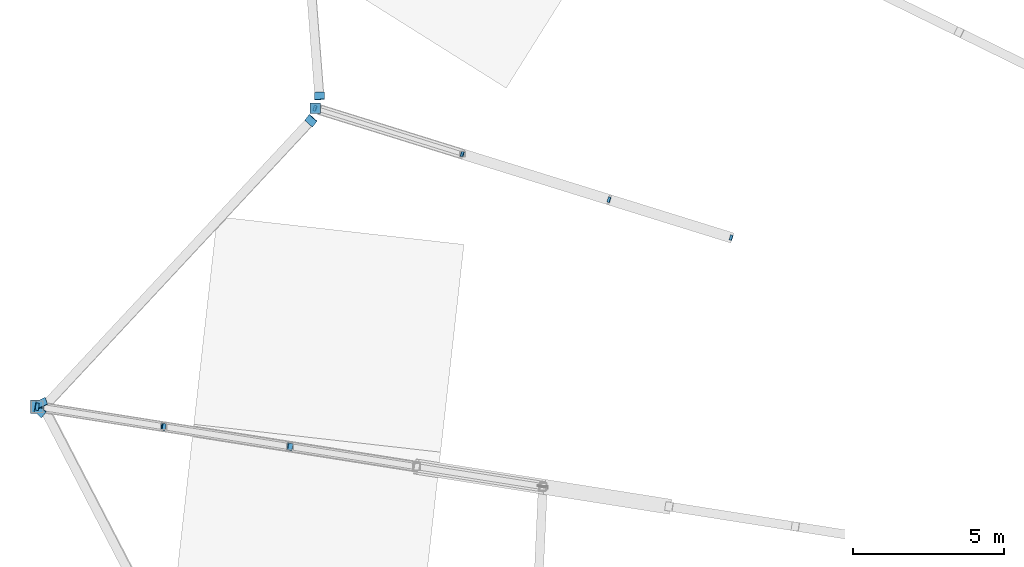
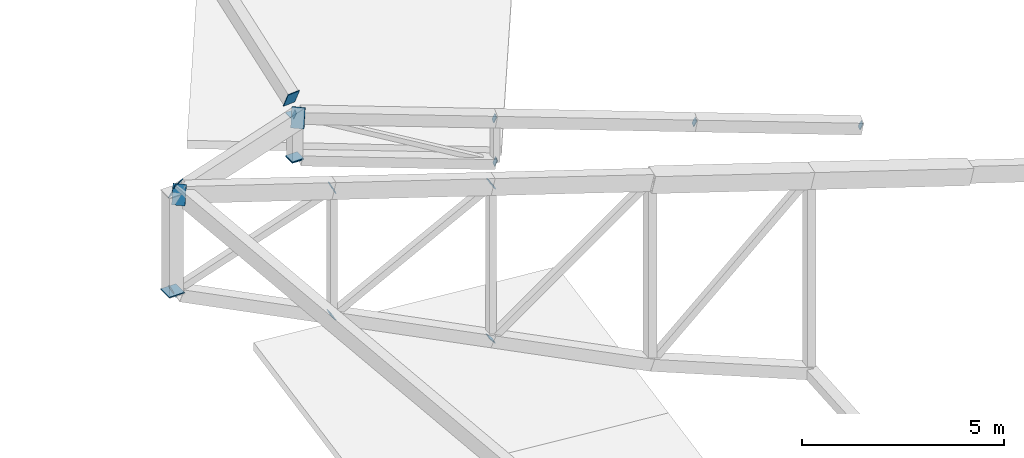
# One storey, part 160 of 188: 18 discrete accessories.
"""IFC4 building model written with IfcOpenShell, lengths in metres."""

from ifc_helpers import new_model, si_unit, direction, frame, origin, origin_2d, place, context, subcontext, project, spatial, rectangle, extrude, material, material_profile, profile_set, type_object, element, save


model = new_model("IFC4")

# Units and contexts
model_context = context("Model", 3, precision=1e-05, world=origin(), true_north=direction((0.0, 1.0)))
body_context = subcontext(model_context, "Body", "Model", "MODEL_VIEW")
ifc_project = project(units=[si_unit("LENGTHUNIT", "METRE"), si_unit("AREAUNIT", "SQUARE_METRE"), si_unit("VOLUMEUNIT", "CUBIC_METRE"), si_unit("PLANEANGLEUNIT", "RADIAN"), si_unit("MASSUNIT", "GRAM", prefix="KILO")], contexts=[model_context])

# Site, building, storey
site_placement = place(None, origin())
site = spatial("IfcSite", under=ifc_project, at=site_placement, CompositionType="ELEMENT")
building_placement = place(site_placement, origin())
building = spatial("IfcBuilding", under=site, at=building_placement, Name="Meseta Stadium", CompositionType="ELEMENT")
storey_placement = place(building_placement, frame((0.0, 0.0, 30.0)))
storey = spatial("IfcBuildingStorey", under=building, at=storey_placement, Name="ROOF", CompositionType="ELEMENT", Elevation=30.0)

# Discrete accessories
ifc_material_1 = material(Name="Steel S355", Category="steel")
ifc_material_profile_1 = material_profile(ifc_material_1, rectangle(XDim=0.179931640625, YDim=0.179931640625, at=origin_2d()), Name="PL 180x180")
ifc_profile_set_1 = profile_set([ifc_material_profile_1], Name="Steel S355")
discrete_accessory_type_1 = type_object("IfcDiscreteAccessoryType", Name="End plate 180x180x20", PredefinedType="ANCHORPLATE", material=ifc_profile_set_1)
for number, where, z_axis, x_axis, name in (
    (1, (-78.137451171875, 61.780029296875, 1.04931640625), (-0.856465372407, 0.269174831328, 0.440467905809), (-0.29982659674, -0.953993716901, 0.0), "End plate of ROOF TRUSS RT-27 diagonal"),
    (2, (-82.169189453125, 63.03369140625, 1.795654296875), (-0.856465372407, 0.269174831328, 0.440467905809), (-0.29982659674, -0.953993716901, 0.0), "End plate of ROOF TRUSS RT-27 diagonal"),
    (3, (-87.02099609375, 64.542724609375, 2.69384765625), (-0.875902038268, 0.267636733915, 0.401455100873), (-0.292218535599, -0.956351571051, 0.0), "End plate of ROOF TRUSS RT-27 diagonal"),
    (4, (-87.00341796875, 64.537353515625, 1.385986328125), (-0.880145616382, 0.268933382783, 0.391175829503), (-0.292218535599, -0.956351571051, 0.0), "End plate of ROOF TRUSS RT-27 diagonal"),
    (5, (-91.872802734375, 66.051513671875, 3.592041015625), (-0.870069292447, 0.281853432765, 0.404398403532), (-0.308177010852, -0.951329033501, 0.0), "End plate of ROOF TRUSS RT-27 diagonal"),
):
    element("IfcDiscreteAccessory", number, at=place(storey_placement, frame(where, z_axis=z_axis, x_axis=x_axis)), inside=storey, type_object=discrete_accessory_type_1, Name=name, PredefinedType="ANCHORPLATE", context=body_context, shape_type="SweptSolid", body=[
        extrude(rectangle(XDim=0.179931640625, YDim=0.179931640625, at=origin_2d()), origin(), (0.0, 0.0, 1.0), 0.02001953125),
    ])
ifc_material_2 = material(Name="Steel S355", Category="steel")
ifc_material_profile_2 = material_profile(ifc_material_2, rectangle(XDim=0.239990234375, YDim=0.239990234375, at=origin_2d()), Name="PL 240x240")
ifc_profile_set_2 = profile_set([ifc_material_profile_2], Name="Steel S355")
discrete_accessory_type_2 = type_object("IfcDiscreteAccessoryType", Name="End plate 240x240x20", PredefinedType="ANCHORPLATE", material=ifc_profile_set_2)
discrete_accessory_1_placement = place(storey_placement, frame((-92.70751953125, 54.884033203125, 3.892578125), z_axis=(-0.737244239088, 0.120859711326, -0.664728412293), x_axis=(-0.161775027066, -0.986827665106, 0.0)))
element("IfcDiscreteAccessory", 6, at=discrete_accessory_1_placement, inside=storey, type_object=discrete_accessory_type_2, Name="End plate of ROOF TRUSS RT-28 diagonal", PredefinedType="ANCHORPLATE", context=body_context, shape_type="SweptSolid", body=[
    extrude(rectangle(XDim=0.239990234375, YDim=0.239990234375, at=origin_2d()), origin(), (0.0, 0.0, 1.0), 0.020263671875),
])
for number, where, z_axis, x_axis, name in (
    (7, (-92.691162109375, 54.881591796875, 8.570556640625), (-0.812613854697, 0.121285649955, -0.570042554788), (-0.147618562253, -0.989044367093, 0.0), "End plate of ROOF TRUSS RT-28 diagonal"),
    (8, (-96.879638671875, 55.54345703125, 5.663818359375), (-0.807162077407, 0.134527012901, -0.574797236941), (-0.164398987305, -0.986393923832, 0.0), "End plate of ROOF TRUSS RT-28 diagonal"),
    (9, (-96.86181640625, 55.540771484375, 9.505859375), (-0.888791088931, 0.133927424359, -0.438307934267), (-0.149002801525, -0.988836773759, 0.0), "End plate of ROOF TRUSS RT-28 diagonal"),
):
    element("IfcDiscreteAccessory", number, at=place(storey_placement, frame(where, z_axis=z_axis, x_axis=x_axis)), inside=storey, type_object=discrete_accessory_type_2, Name=name, PredefinedType="ANCHORPLATE", context=body_context, shape_type="SweptSolid", body=[
        extrude(rectangle(XDim=0.239990234375, YDim=0.239990234375, at=origin_2d()), origin(), (0.0, 0.0, 1.0), 0.02001953125),
    ])
discrete_accessory_2_placement = place(storey_placement, frame((-101.0517578125, 56.202880859375, 7.43505859375), z_axis=(-0.886191601867, 0.135390383619, -0.443095800933), x_axis=(-0.151025398742, -0.988529882672, 0.0)))
element("IfcDiscreteAccessory", 10, at=discrete_accessory_2_placement, inside=storey, type_object=discrete_accessory_type_2, Name="End plate of ROOF TRUSS RT-28 diagonal", PredefinedType="ANCHORPLATE", context=body_context, shape_type="SweptSolid", body=[
    extrude(rectangle(XDim=0.239990234375, YDim=0.239990234375, at=origin_2d()), origin(), (0.0, 0.0, 1.0), 0.019775390625),
])
ifc_material_3 = material(Name="Steel S355", Category="steel")
ifc_material_profile_3 = material_profile(ifc_material_3, rectangle(XDim=0.340087890625, YDim=0.340087890625, at=origin_2d()), Name="PL 340x340")
ifc_profile_set_3 = profile_set([ifc_material_profile_3], Name="Steel S355")
discrete_accessory_type_3 = type_object("IfcDiscreteAccessoryType", Name="End plate 340x340x20", PredefinedType="ANCHORPLATE", material=ifc_profile_set_3)
for number, where, z_axis, x_axis, name in (
    (11, (-91.872802734375, 66.051513671875, 2.27197265625), (0.0, 0.0, 1.0), (1.0, 0.0, 0.0), "End plate of ROOF TRUSS RT-27 post"),
    (12, (-91.872802734375, 66.051513671875, 3.592041015625), (0.0, 0.0, 1.0), (1.0, 0.0, 0.0), "End plate of ROOF TRUSS RT-27 post"),
    (13, (-91.872802734375, 66.051513671875, 2.2919921875), (0.0, 0.0, 1.0), (1.0, 0.0, 0.0), "End plate of ROOF RIM POST RT-27"),
):
    element("IfcDiscreteAccessory", number, at=place(storey_placement, frame(where, z_axis=z_axis, x_axis=x_axis)), inside=storey, type_object=discrete_accessory_type_3, Name=name, PredefinedType="ANCHORPLATE", context=body_context, shape_type="SweptSolid", body=[
        extrude(rectangle(XDim=0.340087890625, YDim=0.340087890625, at=origin_2d()), origin(), (0.0, 0.0, 1.0), 0.02001953125),
    ])
ifc_material_4 = material(Name="Steel S355", Category="steel")
ifc_material_profile_4 = material_profile(ifc_material_4, rectangle(XDim=0.340087890625, YDim=0.5400390625, at=origin_2d()), Name="PL 340x540")
ifc_profile_set_4 = profile_set([ifc_material_profile_4], Name="Steel S355")
discrete_accessory_type_4 = type_object("IfcDiscreteAccessoryType", Name="End plate 340x540x20", PredefinedType="ANCHORPLATE", material=ifc_profile_set_4)
for number, where, z_axis, x_axis, name in (
    (14, (-91.73583984375, 66.469482421875, 3.794921875), (0.061313933948, -0.895183435648, -0.441460324429), (0.99811185593, 0.05337277813, 0.030398513227), "End plate of RIM RING BEAM 27"),
    (15, (-92.010498046875, 65.650146484375, 3.787353515625), (-0.610300928137, -0.659125002388, 0.439416668258), (0.745626704511, -0.665299801905, 0.037642942297), "End plate of RIM RING BEAM 28"),
    (16, (-100.9521484375, 56.055908203125, 10.411376953125), (-0.611852581845, -0.648563736756, 0.452770910566), (0.739774738296, -0.671816394622, 0.037363999996), "End plate of RIM RING BEAM 28"),
):
    element("IfcDiscreteAccessory", number, at=place(storey_placement, frame(where, z_axis=z_axis, x_axis=x_axis)), inside=storey, type_object=discrete_accessory_type_4, Name=name, PredefinedType="ANCHORPLATE", context=body_context, shape_type="SweptSolid", body=[
        extrude(rectangle(XDim=0.340087890625, YDim=0.5400390625, at=origin_2d()), origin(), (0.0, 0.0, 1.0), 0.02001953125),
    ])
discrete_accessory_3_placement = place(storey_placement, frame((-100.904052734375, 56.33056640625, 10.424560546875), z_axis=(0.408092178535, -0.803817927417, -0.43282503784), x_axis=(0.903585151289, 0.423330383208, 0.065766716686)))
element("IfcDiscreteAccessory", 17, at=discrete_accessory_3_placement, inside=storey, type_object=discrete_accessory_type_4, Name="End plate of RIM RING BEAM 29", PredefinedType="ANCHORPLATE", context=body_context, shape_type="SweptSolid", body=[
    extrude(rectangle(XDim=0.340087890625, YDim=0.5400390625, at=origin_2d()), origin(), (0.0, 0.0, 1.0), 0.019775390625),
])
ifc_material_5 = material(Name="Steel S355", Category="steel")
ifc_material_profile_5 = material_profile(ifc_material_5, rectangle(XDim=0.43994140625, YDim=0.43994140625, at=origin_2d()), Name="PL 440x440")
ifc_profile_set_5 = profile_set([ifc_material_profile_5], Name="Steel S355")
discrete_accessory_type_5 = type_object("IfcDiscreteAccessoryType", Name="End plate 440x440x20", PredefinedType="ANCHORPLATE", material=ifc_profile_set_5)
discrete_accessory_4_placement = place(storey_placement, frame((-101.0517578125, 56.202880859375, 7.43505859375), z_axis=(0.0, 0.0, 1.0), x_axis=(1.0, 0.0, 0.0)))
element("IfcDiscreteAccessory", 18, at=discrete_accessory_4_placement, inside=storey, type_object=discrete_accessory_type_5, Name="End plate of ROOF RIM POST RT-28", PredefinedType="ANCHORPLATE", context=body_context, shape_type="SweptSolid", body=[
    extrude(rectangle(XDim=0.43994140625, YDim=0.43994140625, at=origin_2d()), origin(), (0.0, 0.0, 1.0), 0.02001953125),
])

save(model, "model.ifc")
